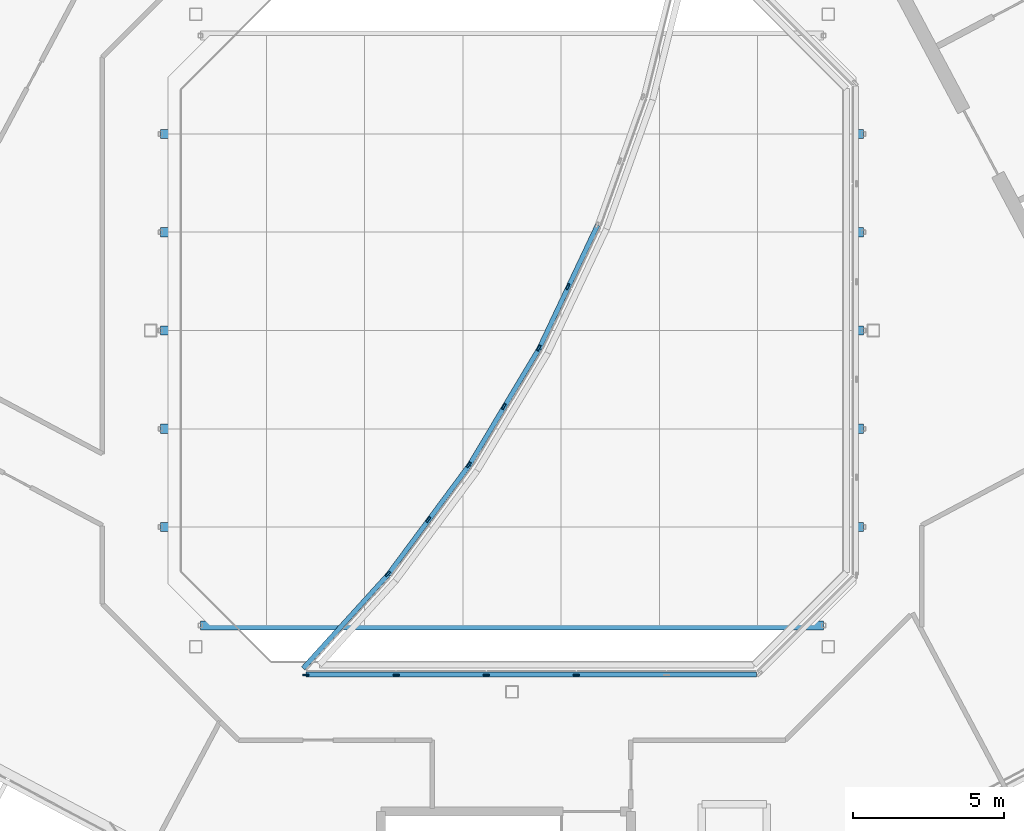
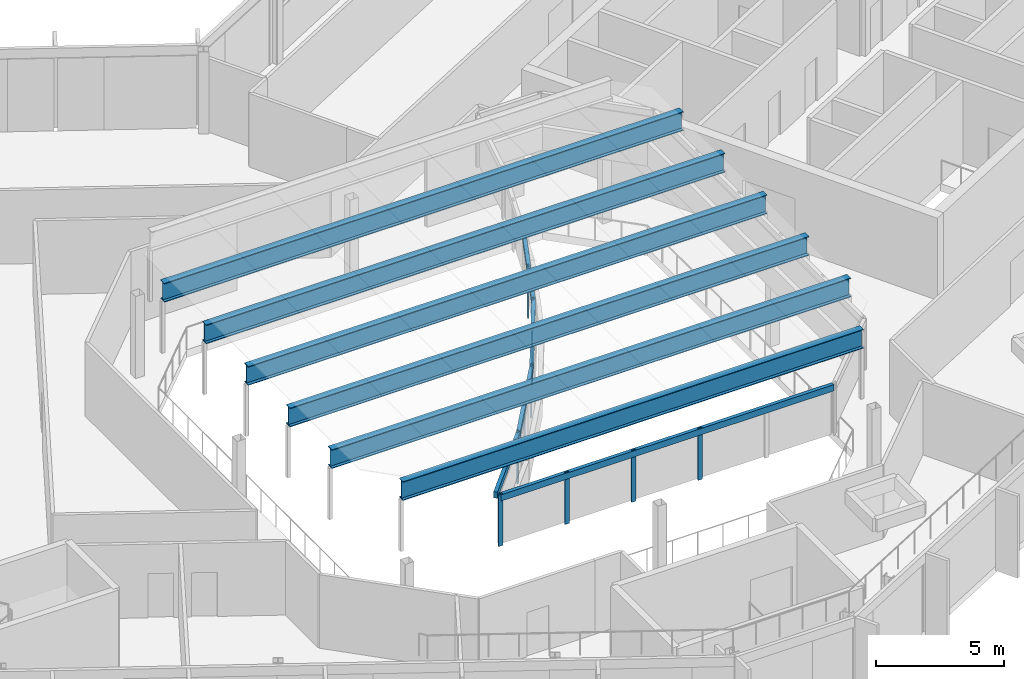
# One storey, part 13 of 35: 15 members, 6 beams, 5 elements without a shape of their own.
"""IFC4 building model written with IfcOpenShell, lengths in metres."""

from ifc_helpers import new_model, si_unit, direction, frame, origin, origin_2d, place, context, subcontext, project, spatial, rectangle, i_section, extrude, material, layer, layer_set, material_profile, profile_set, type_object, element, aggregate, save


model = new_model("IFC4")

# Units and contexts
model_context = context("Model", 3, precision=1e-05, world=origin(), true_north=direction((0.0, 1.0)))
body_context = subcontext(model_context, "Body", "Model", "MODEL_VIEW")
ifc_project = project(units=[si_unit("LENGTHUNIT", "METRE"), si_unit("AREAUNIT", "SQUARE_METRE"), si_unit("VOLUMEUNIT", "CUBIC_METRE"), si_unit("PLANEANGLEUNIT", "RADIAN"), si_unit("MASSUNIT", "GRAM", prefix="KILO")], contexts=[model_context])

# Site, building, storey
site_placement = place(None, origin())
site = spatial("IfcSite", under=ifc_project, at=site_placement, CompositionType="ELEMENT")
building_placement = place(site_placement, origin())
building = spatial("IfcBuilding", under=site, at=building_placement, Name="Cormorant Relay Tower", CompositionType="ELEMENT")
storey_placement = place(building_placement, frame((0.0, 0.0, 324.300048828125)))
storey = spatial("IfcBuildingStorey", under=building, at=storey_placement, Name="L74", CompositionType="ELEMENT", Elevation=324.300048828125)

# Curtain wall, member
ifc_material_1 = material(Name="Aluminium 6063-T6 anodised bronze", Category="aluminium")
ifc_layer = layer(ifc_material_1, 0.199951171875)
ifc_layer_set = layer_set([ifc_layer], Name="CW5 atrium lantern curtain wall")
curtain_wall_type = type_object("IfcCurtainWallType", Name="CW5 atrium lantern curtain wall", PredefinedType="NOTDEFINED", material=ifc_layer_set)
curtain_wall_1_placement = place(storey_placement, origin())
curtain_wall_1 = element("IfcCurtainWall", 1, at=curtain_wall_1_placement, inside=storey, type_object=curtain_wall_type, Name="CW5 atrium lantern wall 3", PredefinedType="NOTDEFINED")
ifc_material_2 = material(Name="Aluminium 6063-T6 anodised bronze", Category="aluminium")
ifc_material_profile_1 = material_profile(ifc_material_2, rectangle(XDim=0.199951171875, YDim=0.06005859375, at=origin_2d()), Name="AL 60x200")
ifc_profile_set_1 = profile_set([ifc_material_profile_1], Name="Aluminium 6063-T6 anodised bronze")
member_type_1 = type_object("IfcMemberType", Name="CW5 bronze mullion 60 x 200", PredefinedType="MULLION", material=ifc_profile_set_1)
member_1_placement = place(storey_placement, frame((1.85498046875, 1.456787109375, 3.89990234375), z_axis=(0.0, 0.0, 1.0), x_axis=(-0.42755509343, -0.903989293123, 0.0)))
member_1 = element("IfcMember", 2, at=member_1_placement, type_object=member_type_1, Name="CW5 mullion 3.2", PredefinedType="MULLION", context=body_context, shape_type="SweptSolid", body=[
    extrude(rectangle(XDim=0.199951171875, YDim=0.06005859375, at=origin_2d()), origin(), (0.0, 0.0, 1.0), 2.449951171875),
])

# Curtain wall, members
curtain_wall_2_placement = place(storey_placement, origin())
curtain_wall_2 = element("IfcCurtainWall", 3, at=curtain_wall_2_placement, inside=storey, type_object=curtain_wall_type, Name="CW5 atrium lantern wall 4", PredefinedType="NOTDEFINED")
member_2_placement = place(storey_placement, frame((0.892333984375, -0.580322265625, 3.89990234375), z_axis=(0.0, 0.0, 1.0), x_axis=(-0.514102744193, -0.85772861, 0.0)))
member_2 = element("IfcMember", 4, at=member_2_placement, type_object=member_type_1, Name="CW5 mullion 4.1", PredefinedType="MULLION", context=body_context, shape_type="SweptSolid", body=[
    extrude(rectangle(XDim=0.199951171875, YDim=0.06005859375, at=origin_2d()), origin(), (0.0, 0.0, 1.0), 2.449951171875),
])
member_3_placement = place(storey_placement, frame((-0.273193359375, -2.52490234375, 3.89990234375), z_axis=(0.0, 0.0, 1.0), x_axis=(-0.514102744193, -0.85772861, 0.0)))
member_3 = element("IfcMember", 5, at=member_3_placement, type_object=member_type_1, Name="CW5 mullion 4.2", PredefinedType="MULLION", context=body_context, shape_type="SweptSolid", body=[
    extrude(rectangle(XDim=0.199951171875, YDim=0.06005859375, at=origin_2d()), origin(), (0.0, 0.0, 1.0), 2.449951171875),
])

curtain_wall_3_placement = place(storey_placement, origin())
curtain_wall_3 = element("IfcCurtainWall", 6, at=curtain_wall_3_placement, inside=storey, type_object=curtain_wall_type, Name="CW5 atrium lantern wall 5", PredefinedType="NOTDEFINED")
member_4_placement = place(storey_placement, frame((-1.430908203125, -4.4580078125, 3.89990234375), z_axis=(0.0, 0.0, 1.0), x_axis=(-0.595699304492, -0.803207531481, 0.0)))
member_4 = element("IfcMember", 7, at=member_4_placement, type_object=member_type_1, Name="CW5 mullion 5.1", PredefinedType="MULLION", context=body_context, shape_type="SweptSolid", body=[
    extrude(rectangle(XDim=0.199951171875, YDim=0.06005859375, at=origin_2d()), origin(), (0.0, 0.0, 1.0), 2.449951171875),
])
member_5_placement = place(storey_placement, frame((-2.781494140625, -6.27880859375, 3.89990234375), z_axis=(0.0, 0.0, 1.0), x_axis=(-0.595699304492, -0.803207531481, 0.0)))
member_5 = element("IfcMember", 8, at=member_5_placement, type_object=member_type_1, Name="CW5 mullion 5.2", PredefinedType="MULLION", context=body_context, shape_type="SweptSolid", body=[
    extrude(rectangle(XDim=0.199951171875, YDim=0.06005859375, at=origin_2d()), origin(), (0.0, 0.0, 1.0), 2.449951171875),
])

# Curtain wall, member
curtain_wall_4_placement = place(storey_placement, origin())
curtain_wall_4 = element("IfcCurtainWall", 9, at=curtain_wall_4_placement, inside=storey, type_object=curtain_wall_type, Name="CW5 atrium lantern wall 6", PredefinedType="NOTDEFINED")
member_6_placement = place(storey_placement, frame((-4.123046875, -8.0888671875, 3.89990234375), z_axis=(0.0, 0.0, 1.0), x_axis=(-0.671558954847, -0.740951125355, 0.0)))
member_6 = element("IfcMember", 10, at=member_6_placement, type_object=member_type_1, Name="CW5 mullion 6.1", PredefinedType="MULLION", context=body_context, shape_type="SweptSolid", body=[
    extrude(rectangle(XDim=0.199951171875, YDim=0.06005859375, at=origin_2d()), origin(), (0.0, 0.0, 1.0), 2.449951171875),
])

# Curtain wall, members
curtain_wall_5_placement = place(storey_placement, origin())
curtain_wall_5 = element("IfcCurtainWall", 11, at=curtain_wall_5_placement, inside=storey, type_object=curtain_wall_type, Name="CW5 atrium lantern wall 7", PredefinedType="NOTDEFINED")
member_7_placement = place(storey_placement, frame((-6.844482421875, -11.43994140625, 3.89990234375), z_axis=(0.0, 0.0, 1.0), x_axis=(1.0, 0.0, 0.0)))
member_7 = element("IfcMember", 12, at=member_7_placement, type_object=member_type_1, Name="CW5 mullion 7.1", PredefinedType="MULLION", context=body_context, shape_type="SweptSolid", body=[
    extrude(rectangle(XDim=0.199951171875, YDim=0.06005859375, at=origin_2d()), origin(), (0.0, 0.0, 1.0), 2.449951171875),
])
member_8_placement = place(storey_placement, frame((-3.850830078125, -11.43994140625, 3.89990234375), z_axis=(0.0, 0.0, 1.0), x_axis=(1.0, 0.0, 0.0)))
member_8 = element("IfcMember", 13, at=member_8_placement, type_object=member_type_1, Name="CW5 mullion 7.2", PredefinedType="MULLION", context=body_context, shape_type="SweptSolid", body=[
    extrude(rectangle(XDim=0.199951171875, YDim=0.06005859375, at=origin_2d()), origin(), (0.0, 0.0, 1.0), 2.449951171875),
])
member_9_placement = place(storey_placement, frame((-0.85693359375, -11.43994140625, 3.89990234375), z_axis=(0.0, 0.0, 1.0), x_axis=(1.0, 0.0, 0.0)))
member_9 = element("IfcMember", 14, at=member_9_placement, type_object=member_type_1, Name="CW5 mullion 7.3", PredefinedType="MULLION", context=body_context, shape_type="SweptSolid", body=[
    extrude(rectangle(XDim=0.199951171875, YDim=0.06005859375, at=origin_2d()), origin(), (0.0, 0.0, 1.0), 2.449951171875),
])
member_10_placement = place(storey_placement, frame((2.13671875, -11.43994140625, 3.89990234375), z_axis=(0.0, 0.0, 1.0), x_axis=(1.0, 0.0, 0.0)))
member_10 = element("IfcMember", 15, at=member_10_placement, type_object=member_type_1, Name="CW5 mullion 7.4", PredefinedType="MULLION", context=body_context, shape_type="SweptSolid", body=[
    extrude(rectangle(XDim=0.199951171875, YDim=0.06005859375, at=origin_2d()), origin(), (0.0, 0.0, 1.0), 2.449951171875),
])

# Member
ifc_material_3 = material(Name="Aluminium 6063-T6 anodised bronze", Category="aluminium")
ifc_material_profile_2 = material_profile(ifc_material_3, rectangle(XDim=0.159912109375, YDim=0.300048828125, at=origin_2d()), Name="AL 160x300")
ifc_profile_set_2 = profile_set([ifc_material_profile_2], Name="Aluminium 6063-T6 anodised bronze")
member_type_2 = type_object("IfcMemberType", Name="CW5 bronze transom 160 x 300", PredefinedType="USERDEFINED", material=ifc_profile_set_2)
member_11_placement = place(storey_placement, frame((2.84228515625, 3.49755859375, 6.199951171875), z_axis=(-0.427549255953, -0.903992054022, 0.0), x_axis=(0.903992054022, -0.427549255953, 0.0)))
member_11 = element("IfcMember", 16, at=member_11_placement, type_object=member_type_2, Name="CW5 transom 3", ObjectType="TRANSOM", PredefinedType="USERDEFINED", context=body_context, shape_type="SweptSolid", body=[
    extrude(rectangle(XDim=0.159912109375, YDim=0.300048828125, at=origin_2d()), origin(), (0.0, 0.0, 1.0), 4.533935546875),
])

aggregate(curtain_wall_1, [member_1, member_11])

member_12_placement = place(storey_placement, frame((0.909423828125, -0.5908203125, 6.199951171875), z_axis=(-0.514107664689, -0.857725660749, 0.0), x_axis=(0.857725660749, -0.514107664689, 0.0)))
member_12 = element("IfcMember", 17, at=member_12_placement, type_object=member_type_2, Name="CW5 transom 4", ObjectType="TRANSOM", PredefinedType="USERDEFINED", context=body_context, shape_type="SweptSolid", body=[
    extrude(rectangle(XDim=0.159912109375, YDim=0.300048828125, at=origin_2d()), origin(), (0.0, 0.0, 1.0), 4.53369140625),
])

aggregate(curtain_wall_2, [member_2, member_3, member_12])

member_13_placement = place(storey_placement, frame((-1.414794921875, -4.4697265625, 6.199951171875), z_axis=(-0.595718079349, -0.803193606758, 0.0), x_axis=(0.803193606758, -0.595718079349, 0.0)))
member_13 = element("IfcMember", 18, at=member_13_placement, type_object=member_type_2, Name="CW5 transom 5", ObjectType="TRANSOM", PredefinedType="USERDEFINED", context=body_context, shape_type="SweptSolid", body=[
    extrude(rectangle(XDim=0.159912109375, YDim=0.300048828125, at=origin_2d()), origin(), (0.0, 0.0, 1.0), 4.533935546875),
])

aggregate(curtain_wall_3, [member_4, member_5, member_13])

member_14_placement = place(storey_placement, frame((-4.1083984375, -8.102294921875, 6.199951171875), z_axis=(-0.671551287501, -0.74095807456, 0.0), x_axis=(0.74095807456, -0.671551287501, 0.0)))
member_14 = element("IfcMember", 19, at=member_14_placement, type_object=member_type_2, Name="CW5 transom 6", ObjectType="TRANSOM", PredefinedType="USERDEFINED", context=body_context, shape_type="SweptSolid", body=[
    extrude(rectangle(XDim=0.159912109375, YDim=0.300048828125, at=origin_2d()), origin(), (0.0, 0.0, 1.0), 4.20703125),
])

aggregate(curtain_wall_4, [member_6, member_14])

member_15_placement = place(storey_placement, frame((-6.844482421875, -11.419921875, 6.199951171875), z_axis=(1.0, 0.0, 0.0), x_axis=(0.0, 1.0, 0.0)))
member_15 = element("IfcMember", 20, at=member_15_placement, type_object=member_type_2, Name="CW5 transom 7", ObjectType="TRANSOM", PredefinedType="USERDEFINED", context=body_context, shape_type="SweptSolid", body=[
    extrude(rectangle(XDim=0.159912109375, YDim=0.300048828125, at=origin_2d()), origin(), (0.0, 0.0, 1.0), 14.96875),
])

aggregate(curtain_wall_5, [member_7, member_8, member_9, member_10, member_15])

# Beams
ifc_material_4 = material(Name="Steel ASTM A572 Grade 50 (Fy 345 MPa)", Category="steel")
ifc_material_profile_3 = material_profile(ifc_material_4, i_section(OverallWidth=0.300048828125, OverallDepth=0.89990234375, WebThickness=0.02001953125, FlangeThickness=0.030029296875, at=origin_2d()), Name="PG900x300")
ifc_profile_set_3 = profile_set([ifc_material_profile_3], Name="Steel ASTM A572 Grade 50 (Fy 345 MPa)")
beam_type = type_object("IfcBeamType", Name="CW5 roof girder 900 x 300", PredefinedType="BEAM", material=ifc_profile_set_3)
beam_placement = place(storey_placement, frame((-10.351318359375, -9.78857421875, 6.800048828125), z_axis=(1.0, 0.0, 0.0), x_axis=(0.0, 1.0, 0.0)))
element("IfcBeam", 21, at=beam_placement, inside=storey, type_object=beam_type, Name="CW5 roof girder 1", PredefinedType="BEAM", context=body_context, shape_type="SweptSolid", body=[
    extrude(i_section(OverallWidth=0.300048828125, OverallDepth=0.89990234375, WebThickness=0.02001953125, FlangeThickness=0.030029296875, at=origin_2d()), origin(), (0.0, 0.0, 1.0), 20.70263671875),
])
for number, where, z_axis, x_axis, name in (
    (22, (-11.669921875, -6.525634765625, 6.800048828125), (1.0, 0.0, 0.0), (0.0, 1.0, 0.0), "CW5 roof girder 2"),
    (23, (-11.669921875, -3.262939453125, 6.800048828125), (1.0, 0.0, 0.0), (0.0, 1.0, 0.0), "CW5 roof girder 3"),
    (24, (-11.669921875, 0.0, 6.800048828125), (1.0, 0.0, 0.0), (0.0, 1.0, 0.0), "CW5 roof girder 4"),
    (25, (-11.669921875, 3.262939453125, 6.800048828125), (1.0, 0.0, 0.0), (0.0, 1.0, 0.0), "CW5 roof girder 5"),
    (26, (-11.669921875, 6.525634765625, 6.800048828125), (1.0, 0.0, 0.0), (0.0, 1.0, 0.0), "CW5 roof girder 6"),
):
    element("IfcBeam", number, at=place(storey_placement, frame(where, z_axis=z_axis, x_axis=x_axis)), inside=storey, type_object=beam_type, Name=name, PredefinedType="BEAM", context=body_context, shape_type="SweptSolid", body=[
        extrude(i_section(OverallWidth=0.300048828125, OverallDepth=0.89990234375, WebThickness=0.02001953125, FlangeThickness=0.030029296875, at=origin_2d()), origin(), (0.0, 0.0, 1.0), 23.33984375),
    ])

save(model, "model.ifc")
